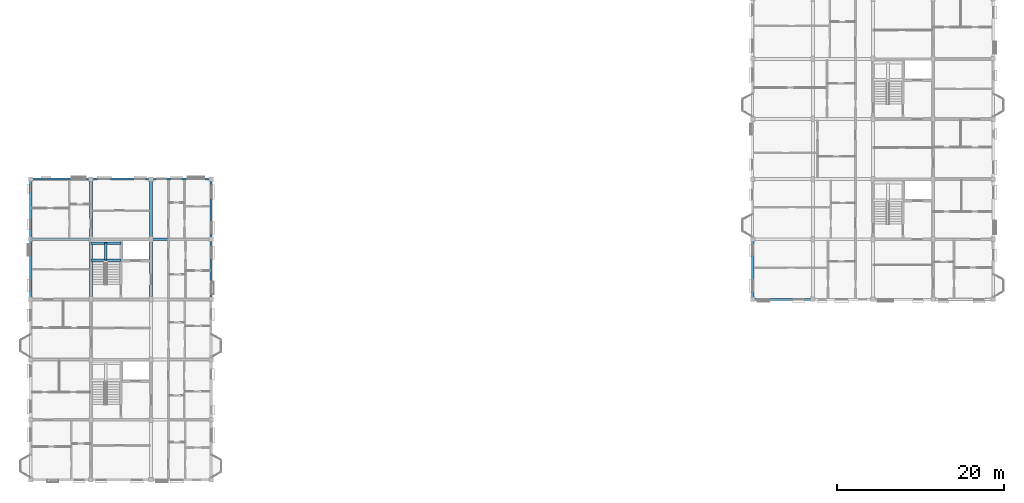
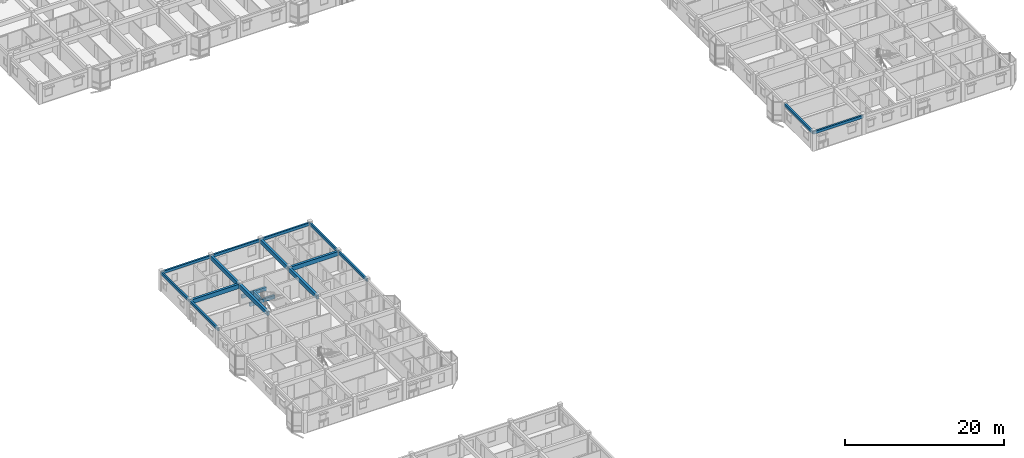
# One storey, part 20 of 79: 18 beams.
"""IFC4 building model written with IfcOpenShell, lengths in metres."""

from ifc_helpers import new_model, si_unit, direction, frame, origin, origin_2d, place, context, subcontext, project, spatial, rectangle, extrude, material, material_profile, profile_set, type_object, element, save


model = new_model("IFC4")

# Units and contexts
model_context = context("Model", 3, precision=1e-05, world=origin(), true_north=direction((0.0, 1.0)))
body_context = subcontext(model_context, "Body", "Model", "MODEL_VIEW")
ifc_project = project(units=[si_unit("LENGTHUNIT", "METRE"), si_unit("AREAUNIT", "SQUARE_METRE"), si_unit("VOLUMEUNIT", "CUBIC_METRE"), si_unit("PLANEANGLEUNIT", "RADIAN"), si_unit("MASSUNIT", "GRAM", prefix="KILO"), si_unit("THERMODYNAMICTEMPERATUREUNIT", "KELVIN"), si_unit("POWERUNIT", "WATT")], contexts=[model_context])

# Site, building, storey
site_placement = place(None, origin())
site = spatial("IfcSite", under=ifc_project, at=site_placement, CompositionType="ELEMENT")
building_placement = place(site_placement, origin())
building = spatial("IfcBuilding", under=site, at=building_placement, Name="Tavuni Mirador Residences", CompositionType="ELEMENT")
storey_placement = place(building_placement, frame((0.0, 0.0, 13.949951171875)))
storey = spatial("IfcBuildingStorey", under=building, at=storey_placement, Name="L04", CompositionType="ELEMENT", Elevation=13.949951171875)

# Beams
ifc_material = material(Name="Precast concrete C40/50", Category="concrete")
ifc_material_profile_1 = material_profile(ifc_material, rectangle(XDim=0.300048828125, YDim=0.5, at=origin_2d()), Name="PC 300x500", Category="concrete")
ifc_profile_set_1 = profile_set([ifc_material_profile_1], Name="Precast concrete C40/50")
beam_type_1 = type_object("IfcBeamType", Name="BT-B500", PredefinedType="BEAM", material=ifc_profile_set_1)
for number, where, z_axis, x_axis, name in (
    (1, (10.800048828125, 91.10009765625, 1.14501953125), (1.0, 0.0, 0.0), (0.0, 1.0, 0.0), "HLB1-C4-L04"),
    (2, (10.800048828125, 93.14990234375, 1.14501953125), (1.0, 0.0, 0.0), (0.0, 1.0, 0.0), "HLB2-C4-L04"),
):
    element("IfcBeam", number, at=place(storey_placement, frame(where, z_axis=z_axis, x_axis=x_axis)), inside=storey, type_object=beam_type_1, Name=name, PredefinedType="BEAM", context=body_context, shape_type="SweptSolid", body=[
        extrude(rectangle(XDim=0.300048828125, YDim=0.5, at=origin_2d()), origin(), (0.0, 0.0, 1.0), 3.599853515625),
    ])
beam_1_placement = place(storey_placement, frame((12.60009765625, 91.10009765625, 1.14501953125), z_axis=(0.0, 1.0, 0.0), x_axis=(-1.0, 0.0, 0.0)))
element("IfcBeam", 3, at=beam_1_placement, inside=storey, type_object=beam_type_1, Name="HLB3-C4-L04", PredefinedType="BEAM", context=body_context, shape_type="SweptSolid", body=[
    extrude(rectangle(XDim=0.300048828125, YDim=0.5, at=origin_2d()), origin(), (0.0, 0.0, 1.0), 2.0498046875),
])
ifc_material_profile_2 = material_profile(ifc_material, rectangle(XDim=0.35009765625, YDim=0.60009765625, at=origin_2d()), Name="PC 350x600", Category="concrete")
ifc_profile_set_2 = profile_set([ifc_material_profile_2], Name="Precast concrete C40/50")
beam_type_2 = type_object("IfcBeamType", Name="BT-B600", PredefinedType="BEAM", material=ifc_profile_set_2)
beam_2_placement = place(storey_placement, frame((10.800048828125, 86.39990234375, 2.610107421875), z_axis=(0.0, 1.0, 0.0), x_axis=(-1.0, 0.0, 0.0)))
element("IfcBeam", 4, at=beam_2_placement, inside=storey, type_object=beam_type_2, Name="BMY-BLK-B-L04-01-03", PredefinedType="BEAM", context=body_context, shape_type="SweptSolid", body=[
    extrude(rectangle(XDim=0.35009765625, YDim=0.60009765625, at=origin_2d()), origin(), (0.0, 0.0, 1.0), 7.2001953125),
])
beam_3_placement = place(storey_placement, frame((10.800048828125, 93.60009765625, 2.610107421875), z_axis=(0.0, 1.0, 0.0), x_axis=(-1.0, 0.0, 0.0)))
element("IfcBeam", 5, at=beam_3_placement, inside=storey, type_object=beam_type_2, Name="BMY-BLK-B-L04-01-04", PredefinedType="BEAM", context=body_context, shape_type="SweptSolid", body=[
    extrude(rectangle(XDim=0.35009765625, YDim=0.60009765625, at=origin_2d()), origin(), (0.0, 0.0, 1.0), 7.199951171875),
])
beam_4_placement = place(storey_placement, frame((18.0, 86.39990234375, 2.610107421875), z_axis=(0.0, 1.0, 0.0), x_axis=(-1.0, 0.0, 0.0)))
element("IfcBeam", 6, at=beam_4_placement, inside=storey, type_object=beam_type_2, Name="BMY-BLK-B-L04-02-03", PredefinedType="BEAM", context=body_context, shape_type="SweptSolid", body=[
    extrude(rectangle(XDim=0.35009765625, YDim=0.60009765625, at=origin_2d()), origin(), (0.0, 0.0, 1.0), 7.2001953125),
])
beam_5_placement = place(storey_placement, frame((18.0, 93.60009765625, 2.610107421875), z_axis=(0.0, 1.0, 0.0), x_axis=(-1.0, 0.0, 0.0)))
element("IfcBeam", 7, at=beam_5_placement, inside=storey, type_object=beam_type_2, Name="BMY-BLK-B-L04-02-04", PredefinedType="BEAM", context=body_context, shape_type="SweptSolid", body=[
    extrude(rectangle(XDim=0.35009765625, YDim=0.60009765625, at=origin_2d()), origin(), (0.0, 0.0, 1.0), 7.199951171875),
])
ifc_material_profile_3 = material_profile(ifc_material, rectangle(XDim=0.35009765625, YDim=0.64990234375, at=origin_2d()), Name="PC 350x650", Category="concrete")
ifc_profile_set_3 = profile_set([ifc_material_profile_3], Name="Precast concrete C40/50")
beam_type_3 = type_object("IfcBeamType", Name="BT-B650", PredefinedType="BEAM", material=ifc_profile_set_3)
for number, where, z_axis, x_axis, name in (
    (8, (3.60009765625, 93.60009765625, 2.5849609375), (1.0, 0.0, 0.0), (0.0, 1.0, 0.0), "BMX-BLK-B-L04-00-04"),
    (9, (18.0, 93.60009765625, 2.5849609375), (1.0, 0.0, 0.0), (0.0, 1.0, 0.0), "BMX-BLK-B-L04-02-04"),
):
    element("IfcBeam", number, at=place(storey_placement, frame(where, z_axis=z_axis, x_axis=x_axis)), inside=storey, type_object=beam_type_3, Name=name, PredefinedType="BEAM", context=body_context, shape_type="SweptSolid", body=[
        extrude(rectangle(XDim=0.35009765625, YDim=0.64990234375, at=origin_2d()), origin(), (0.0, 0.0, 1.0), 7.199951171875),
    ])
ifc_material_profile_4 = material_profile(ifc_material, rectangle(XDim=0.25, YDim=0.419921875, at=origin_2d()), Name="PC 250x420", Category="concrete")
ifc_profile_set_4 = profile_set([ifc_material_profile_4], Name="Precast concrete C40/50")
beam_type_4 = type_object("IfcBeamType", Name="BT-SP420", PredefinedType="SPANDREL", material=ifc_profile_set_4)
for number, where, z_axis, x_axis, name in (
    (10, (3.60009765625, 100.800048828125, 2.699951171875), (1.0, 0.0, 0.0), (0.0, 1.0, 0.0), "BMX-BLK-B-L04-00-05"),
    (11, (10.800048828125, 100.800048828125, 2.699951171875), (1.0, 0.0, 0.0), (0.0, 1.0, 0.0), "BMX-BLK-B-L04-01-05"),
    (12, (18.0, 100.800048828125, 2.699951171875), (1.0, 0.0, 0.0), (0.0, 1.0, 0.0), "BMX-BLK-B-L04-02-05"),
):
    element("IfcBeam", number, at=place(storey_placement, frame(where, z_axis=z_axis, x_axis=x_axis)), inside=storey, type_object=beam_type_4, Name=name, PredefinedType="SPANDREL", context=body_context, shape_type="SweptSolid", body=[
        extrude(rectangle(XDim=0.25, YDim=0.419921875, at=origin_2d()), origin(), (0.0, 0.0, 1.0), 7.199951171875),
    ])
beam_6_placement = place(storey_placement, frame((3.60009765625, 86.39990234375, 2.699951171875), z_axis=(0.0, 1.0, 0.0), x_axis=(-1.0, 0.0, 0.0)))
element("IfcBeam", 13, at=beam_6_placement, inside=storey, type_object=beam_type_4, Name="BMY-BLK-B-L04-00-03", PredefinedType="SPANDREL", context=body_context, shape_type="SweptSolid", body=[
    extrude(rectangle(XDim=0.25, YDim=0.419921875, at=origin_2d()), origin(), (0.0, 0.0, 1.0), 7.2001953125),
])
beam_7_placement = place(storey_placement, frame((3.60009765625, 93.60009765625, 2.699951171875), z_axis=(0.0, 1.0, 0.0), x_axis=(-1.0, 0.0, 0.0)))
element("IfcBeam", 14, at=beam_7_placement, inside=storey, type_object=beam_type_4, Name="BMY-BLK-B-L04-00-04", PredefinedType="SPANDREL", context=body_context, shape_type="SweptSolid", body=[
    extrude(rectangle(XDim=0.25, YDim=0.419921875, at=origin_2d()), origin(), (0.0, 0.0, 1.0), 7.199951171875),
])
beam_8_placement = place(storey_placement, frame((25.199951171875, 86.39990234375, 2.699951171875), z_axis=(0.0, 1.0, 0.0), x_axis=(-1.0, 0.0, 0.0)))
element("IfcBeam", 15, at=beam_8_placement, inside=storey, type_object=beam_type_4, Name="BMY-BLK-B-L04-03-03", PredefinedType="SPANDREL", context=body_context, shape_type="SweptSolid", body=[
    extrude(rectangle(XDim=0.25, YDim=0.419921875, at=origin_2d()), origin(), (0.0, 0.0, 1.0), 7.2001953125),
])
for number, where, z_axis, x_axis, name in (
    (16, (25.199951171875, 93.60009765625, 2.699951171875), (0.0, 1.0, 0.0), (-1.0, 0.0, 0.0), "BMY-BLK-B-L04-03-04"),
    (17, (90.0, 86.39990234375, 2.679931640625), (1.0, 0.0, 0.0), (0.0, 1.0, 0.0), "BMX-BLK-D-L04-00-00"),
):
    element("IfcBeam", number, at=place(storey_placement, frame(where, z_axis=z_axis, x_axis=x_axis)), inside=storey, type_object=beam_type_4, Name=name, PredefinedType="SPANDREL", context=body_context, shape_type="SweptSolid", body=[
        extrude(rectangle(XDim=0.25, YDim=0.419921875, at=origin_2d()), origin(), (0.0, 0.0, 1.0), 7.199951171875),
    ])
beam_9_placement = place(storey_placement, frame((90.0, 86.39990234375, 2.679931640625), z_axis=(0.0, 1.0, 0.0), x_axis=(-1.0, 0.0, 0.0)))
element("IfcBeam", 18, at=beam_9_placement, inside=storey, type_object=beam_type_4, Name="BMY-BLK-D-L04-00-00", PredefinedType="SPANDREL", context=body_context, shape_type="SweptSolid", body=[
    extrude(rectangle(XDim=0.25, YDim=0.419921875, at=origin_2d()), origin(), (0.0, 0.0, 1.0), 7.2001953125),
])

save(model, "model.ifc")
